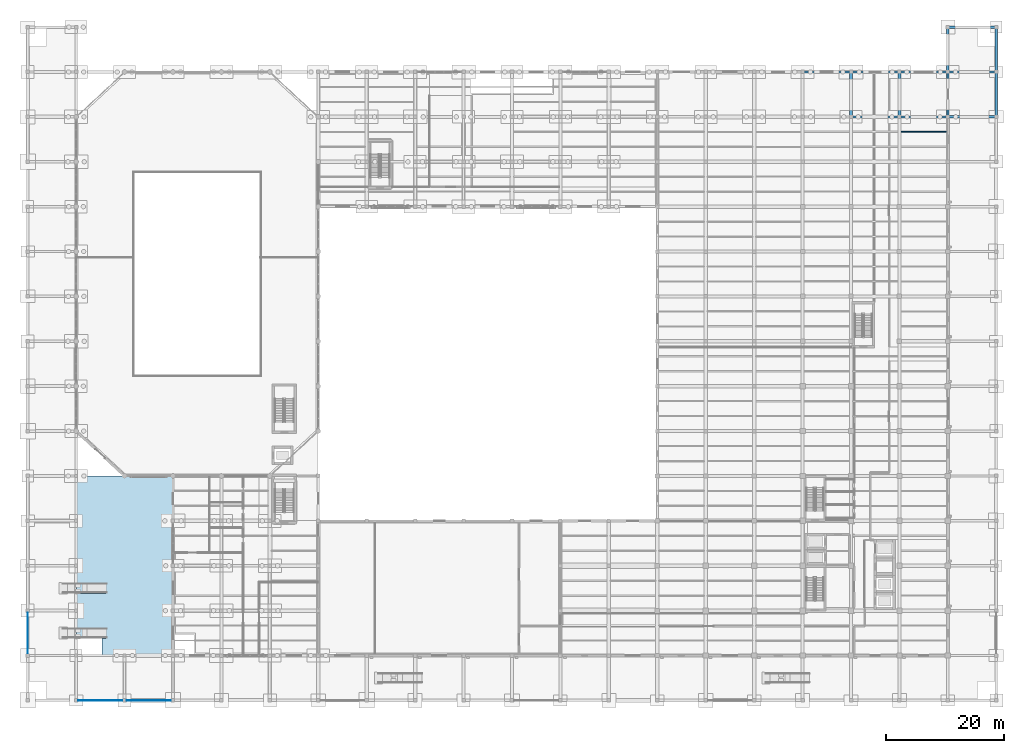
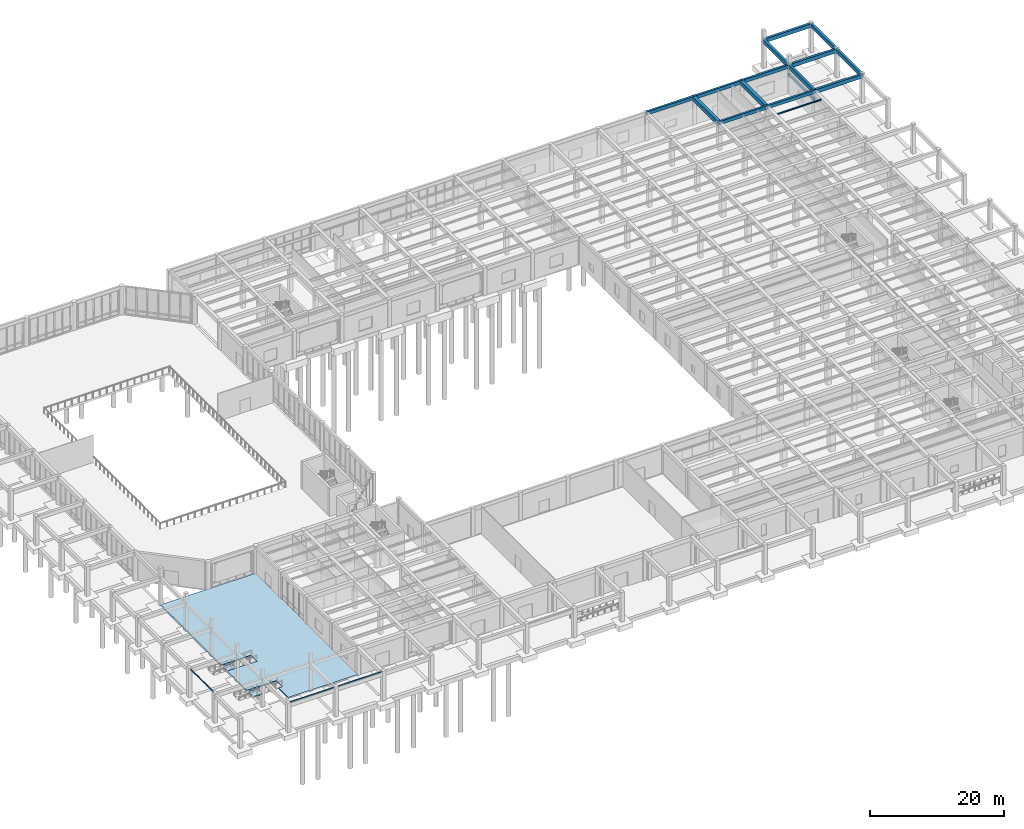
# One storey, part 33 of 64: 16 beams, 3 plates, 3 slabs, 2 elements without a shape of their own.
"""IFC4 building model written with IfcOpenShell, lengths in metres."""

import ifcopenshell
import ifcopenshell.guid

model = None  # the IFC model being written
_history = None  # IfcOwnerHistory: only IFC2X3 demands one
_inside = {}  # id of a spatial element -> (the spatial element, [elements in it])
_under = {}  # id of a project, library or spatial element -> (it, [spatial elements below it])
_declared = {}  # id of a project -> (the project, [libraries it declares])
_typed = {}  # id of a type object -> (the type object, [elements of that type])
_made_of = {}  # id of a material, layer set ... -> (it, [elements and type objects made of it])


def new_model(schema):
    """Start an empty IFC model of exactly this schema.

    Asked for "IFC4X3", IfcOpenShell would pick the latest addendum, in which some entities
    have other attributes; the version numbers below select the first issue.
    IFC2X3 requires an IfcOwnerHistory on every rooted entity: one is made here for all.
    """
    global model, _history
    if schema == "IFC4X3":
        model = ifcopenshell.file(schema_version=(4, 3, 0, 0))
    else:
        model = ifcopenshell.file(schema=schema)
    _inside.clear()
    _under.clear()
    _declared.clear()
    _typed.clear()
    _made_of.clear()
    _history = None
    if model.schema == "IFC2X3":
        org = make("IfcOrganization", Name="unknown")
        user = make(
            "IfcPersonAndOrganization",
            ThePerson=make("IfcPerson", FamilyName="unknown"),
            TheOrganization=org,
        )
        app = make(
            "IfcApplication",
            ApplicationDeveloper=org,
            Version="unknown",
            ApplicationFullName="unknown",
            ApplicationIdentifier="unknown",
        )
        _history = make(
            "IfcOwnerHistory",
            OwningUser=user,
            OwningApplication=app,
            ChangeAction="ADDED",
            CreationDate=0,
        )
    return model


def make(cls, **values):
    """One entity of the class cls with the attributes given. An attribute that is None is left unset."""
    return model.create_entity(
        cls, **{name: value for name, value in values.items() if value is not None}
    )


def rooted(cls, **values):
    """An entity with a GlobalId (a new one), such as an element, a storey or a relation."""
    return make(cls, GlobalId=ifcopenshell.guid.new(), OwnerHistory=_history, **values)


def si_unit(unit_type, name, prefix=None):
    """IfcSIUnit, for example si_unit("LENGTHUNIT", "METRE", prefix="MILLI")."""
    return make("IfcSIUnit", UnitType=unit_type, Prefix=prefix, Name=name)


def assignment(units):
    """IfcUnitAssignment: the units of a project."""
    return None if units is None else make("IfcUnitAssignment", Units=units)


def point(xyz):
    """IfcCartesianPoint."""
    return None if xyz is None else make("IfcCartesianPoint", Coordinates=xyz)


def direction(xyz):
    """IfcDirection."""
    return None if xyz is None else make("IfcDirection", DirectionRatios=xyz)


def frame(location, z_axis=None, x_axis=None):
    """IfcAxis2Placement3D, a coordinate frame: its origin and axes. An axis left out is left unset."""
    return make(
        "IfcAxis2Placement3D",
        Location=point(location),
        Axis=direction(z_axis),
        RefDirection=direction(x_axis),
    )


def frame_2d(location, x_axis=None):
    """IfcAxis2Placement2D, a coordinate frame in the plane: its origin and x axis."""
    return make(
        "IfcAxis2Placement2D", Location=point(location), RefDirection=direction(x_axis)
    )


def origin():
    """The frame at (0, 0, 0) with its axes left unset."""
    return frame((0.0, 0.0, 0.0))


def origin_2d():
    """The frame at (0, 0) in the plane with its x axis left unset."""
    return frame_2d((0.0, 0.0))


def place(relative_to, where):
    """IfcLocalPlacement: puts the frame where relative to a parent placement (None: the world)."""
    return make(
        "IfcLocalPlacement", PlacementRelTo=relative_to, RelativePlacement=where
    )


def context(
    kind, dimensions, precision=None, world=None, true_north=None, identifier=None
):
    """IfcGeometricRepresentationContext, for example the 3D "Model" context."""
    return make(
        "IfcGeometricRepresentationContext",
        ContextIdentifier=identifier,
        ContextType=kind,
        CoordinateSpaceDimension=dimensions,
        Precision=precision,
        WorldCoordinateSystem=world,
        TrueNorth=true_north,
    )


def subcontext(parent, identifier, kind, view, scale=None):
    """IfcGeometricRepresentationSubContext, for example "Body" below "Model"."""
    return make(
        "IfcGeometricRepresentationSubContext",
        ContextIdentifier=identifier,
        ContextType=kind,
        ParentContext=parent,
        TargetScale=scale,
        TargetView=view,
    )


def project(units=None, contexts=None):
    """IfcProject with its units and contexts."""
    return rooted(
        "IfcProject",
        Name="project",
        RepresentationContexts=contexts,
        UnitsInContext=assignment(units),
    )


def spatial(cls, under=None, at=None, **own):
    """A site, building, storey or space (cls), placed at a placement, below another one or the project."""
    s = rooted(cls, ObjectPlacement=at, **own)
    if under is not None:
        _under.setdefault(under.id(), (under, []))[1].append(s)
    return s


def polyline(points):
    """IfcPolyline through the points."""
    return make("IfcPolyline", Points=[point(p) for p in points])


def profile(cls, at=None, kind="AREA", **sizes):
    """A parametric profile (cls). Its sizes go by their IFC names, for example OverallWidth=200.0."""
    return make(cls, ProfileType=kind, Position=at, **sizes)


def rectangle(**sizes):
    """IfcRectangleProfileDef."""
    return profile("IfcRectangleProfileDef", **sizes)


def i_section(**sizes):
    """IfcIShapeProfileDef."""
    return profile("IfcIShapeProfileDef", **sizes)


def outline(outer, holes=None, kind="AREA"):
    """IfcArbitraryClosedProfileDef: a profile drawn as a closed curve; with holes, ...WithVoids."""
    if holes is None:
        return make("IfcArbitraryClosedProfileDef", ProfileType=kind, OuterCurve=outer)
    return make(
        "IfcArbitraryProfileDefWithVoids",
        ProfileType=kind,
        OuterCurve=outer,
        InnerCurves=holes,
    )


def extrude(swept, where, along, depth):
    """IfcExtrudedAreaSolid: the profile swept, set in the frame where, extruded along a direction by depth."""
    return make(
        "IfcExtrudedAreaSolid",
        SweptArea=swept,
        Position=where,
        ExtrudedDirection=direction(along),
        Depth=depth,
    )


def shape(context_of_items, identifier, shape_type, items):
    """IfcShapeRepresentation: the items that make up one representation, for example the "Body"."""
    return make(
        "IfcShapeRepresentation",
        ContextOfItems=context_of_items,
        RepresentationIdentifier=identifier,
        RepresentationType=shape_type,
        Items=items,
    )


def material(Name=None, Category=None):
    """IfcMaterial."""
    return make("IfcMaterial", Name=Name, Category=Category)


def layer(
    of_material, thickness, ventilated=None, Name=None, Category=None, Priority=None
):
    """IfcMaterialLayer: one layer of a wall or slab, of a material (None: an air gap)."""
    return make(
        "IfcMaterialLayer",
        Material=of_material,
        LayerThickness=thickness,
        IsVentilated=ventilated,
        Name=Name,
        Category=Category,
        Priority=Priority,
    )


def layer_set(layers, Name=None):
    """IfcMaterialLayerSet."""
    return make("IfcMaterialLayerSet", MaterialLayers=layers, LayerSetName=Name)


def material_profile(
    of_material, cross_section, Name=None, Category=None, Priority=None
):
    """IfcMaterialProfile: a cross section and its material."""
    return make(
        "IfcMaterialProfile",
        Name=Name,
        Material=of_material,
        Profile=cross_section,
        Priority=Priority,
        Category=Category,
    )


def profile_set(profiles, Name=None, composite=None):
    """IfcMaterialProfileSet."""
    return make(
        "IfcMaterialProfileSet",
        Name=Name,
        MaterialProfiles=profiles,
        CompositeProfile=composite,
    )


def made_of(thing, what):
    """Note that an element or type object is made of a material, layer set ...; save() writes the relation."""
    if what is not None:
        _made_of.setdefault(what.id(), (what, []))[1].append(thing)
    return thing


def type_object(cls, material=None, **own):
    """A type object (cls), such as IfcWallType, which elements share."""
    return made_of(rooted(cls, **own), material)


def element(
    cls,
    number,
    at=None,
    inside=None,
    cuts=None,
    type_object=None,
    material=None,
    context=None,
    identifier="Body",
    shape_type=None,
    held_by="IfcProductDefinitionShape",
    body=None,
    shapes=None,
    **own,
):
    """One element of the class cls, such as IfcWall. Its Tag is "e" and its number.

    at: its placement. inside: the storey or other place that contains it. cuts: it is an
    opening in that element (IfcRelVoidsElement). A single representation is given by context,
    identifier, shape_type and body (its items); several are given by shapes. held_by: the class
    of the entity that holds the representations. save() writes the other relations.
    """
    e = rooted(cls, Tag="e%d" % number, ObjectPlacement=at, **own)
    if body is not None:
        shapes = [shape(context, identifier, shape_type, body)]
    if shapes is not None:
        e.Representation = make(held_by, Representations=shapes)
    if inside is not None:
        _inside.setdefault(inside.id(), (inside, []))[1].append(e)
    if cuts is not None:
        rooted(
            "IfcRelVoidsElement", RelatingBuildingElement=cuts, RelatedOpeningElement=e
        )
    if type_object is not None:
        _typed.setdefault(type_object.id(), (type_object, []))[1].append(e)
    return made_of(e, material)


def aggregate(whole, parts):
    """IfcRelAggregates: a whole, such as a stair, and the parts it consists of."""
    return rooted("IfcRelAggregates", RelatingObject=whole, RelatedObjects=parts)


def save(model, path):
    """Write the relations noted so far, then the file.

    IfcRelAggregates (storeys below a building ...), IfcRelContainedInSpatialStructure (elements
    in a storey), IfcRelDefinesByType, IfcRelAssociatesMaterial and IfcRelDeclares: one each for
    every whole, place, type object, material and project.
    """
    for whole, parts in _under.values():
        aggregate(whole, parts)
    for where, things in _inside.values():
        rooted(
            "IfcRelContainedInSpatialStructure",
            RelatedElements=things,
            RelatingStructure=where,
        )
    for kind, things in _typed.values():
        rooted("IfcRelDefinesByType", RelatedObjects=things, RelatingType=kind)
    for what, things in _made_of.values():
        rooted("IfcRelAssociatesMaterial", RelatedObjects=things, RelatingMaterial=what)
    for by, libraries in _declared.values():
        rooted("IfcRelDeclares", RelatingContext=by, RelatedDefinitions=libraries)
    model.write(path)


model = new_model("IFC4")

# Units and contexts
model_context = context("Model", 3, precision=1e-05, world=origin(), true_north=direction((0.0, 1.0)))
body_context = subcontext(model_context, "Body", "Model", "MODEL_VIEW")
ifc_project = project(units=[si_unit("LENGTHUNIT", "METRE"), si_unit("AREAUNIT", "SQUARE_METRE"), si_unit("VOLUMEUNIT", "CUBIC_METRE"), si_unit("PLANEANGLEUNIT", "RADIAN"), si_unit("MASSUNIT", "GRAM", prefix="KILO")], contexts=[model_context])

# Site, building, storey
site_placement = place(None, origin())
site = spatial("IfcSite", under=ifc_project, at=site_placement, CompositionType="ELEMENT")
building_placement = place(site_placement, origin())
building = spatial("IfcBuilding", under=site, at=building_placement, Name="Qandaris Square Conservatory and Botanical Centre", CompositionType="ELEMENT")
storey_placement = place(building_placement, origin())
storey = spatial("IfcBuildingStorey", under=building, at=storey_placement, Name="L00", CompositionType="ELEMENT", Elevation=0.0)

# Beams
ifc_material_1 = material(Name="Precast concrete C40/50", Category="concrete")
ifc_material_profile_1 = material_profile(ifc_material_1, rectangle(XDim=0.35009765625, YDim=0.39990234375, at=origin_2d()), Name="RC-LN 350x400")
ifc_profile_set_1 = profile_set([ifc_material_profile_1], Name="Precast concrete C40/50")
beam_type_1 = type_object("IfcBeamType", Name="Precast Opening Lintel 350x400", PredefinedType="LINTEL", material=ifc_profile_set_1)
beam_1_placement = place(storey_placement, frame((163.800048828125, 107.800048828125, 3.320068359375), z_axis=(0.0, 1.0, 0.0), x_axis=(-1.0, 0.0, 0.0)))
element("IfcBeam", 1, at=beam_1_placement, inside=storey, type_object=beam_type_1, Name="Precast Lintel 013", PredefinedType="LINTEL", context=body_context, shape_type="SweptSolid", body=[
    extrude(rectangle(XDim=0.35009765625, YDim=0.39990234375, at=origin_2d()), origin(), (0.0, 0.0, 1.0), 7.599853515625),
])
ifc_material_2 = material(Name="Concrete C50/60", Category="concrete")
ifc_material_profile_2 = material_profile(ifc_material_2, rectangle(XDim=0.39990234375, YDim=0.699951171875, at=origin_2d()), Name="RC-SP 400x700")
ifc_profile_set_2 = profile_set([ifc_material_profile_2], Name="Concrete C50/60")
beam_type_2 = type_object("IfcBeamType", Name="RC Colonnade Spandrel Beam 400x700", PredefinedType="SPANDREL", material=ifc_profile_set_2)
for number, where, z_axis, x_axis, name in (
    (2, (163.800048828125, 107.800048828125, 4.824951171875), (1.0, 0.0, 0.0), (0.0, 1.0, 0.0), "L00 Frame Beam 0483"),
    (3, (163.800048828125, 115.39990234375, 4.824951171875), (1.0, 0.0, 0.0), (0.0, 1.0, 0.0), "L00 Frame Beam 0501"),
    (4, (163.800048828125, 123.0, 4.824951171875), (1.0, 0.0, 0.0), (0.0, 1.0, 0.0), "L00 Frame Beam 0503"),
):
    element("IfcBeam", number, at=place(storey_placement, frame(where, z_axis=z_axis, x_axis=x_axis)), inside=storey, type_object=beam_type_2, Name=name, PredefinedType="SPANDREL", context=body_context, shape_type="SweptSolid", body=[
        extrude(rectangle(XDim=0.39990234375, YDim=0.699951171875, at=origin_2d()), origin(), (0.0, 0.0, 1.0), 8.199951171875),
    ])
beam_2_placement = place(storey_placement, frame((163.800048828125, 107.800048828125, 4.824951171875), z_axis=(0.0, 1.0, 0.0), x_axis=(-1.0, 0.0, 0.0)))
element("IfcBeam", 5, at=beam_2_placement, inside=storey, type_object=beam_type_2, Name="L00 Frame Beam 0686", PredefinedType="SPANDREL", context=body_context, shape_type="SweptSolid", body=[
    extrude(rectangle(XDim=0.39990234375, YDim=0.699951171875, at=origin_2d()), origin(), (0.0, 0.0, 1.0), 7.599853515625),
])
beam_3_placement = place(storey_placement, frame((163.800048828125, 115.39990234375, 4.824951171875), z_axis=(0.0, 1.0, 0.0), x_axis=(-1.0, 0.0, 0.0)))
element("IfcBeam", 6, at=beam_3_placement, inside=storey, type_object=beam_type_2, Name="L00 Frame Beam 0687", PredefinedType="SPANDREL", context=body_context, shape_type="SweptSolid", body=[
    extrude(rectangle(XDim=0.39990234375, YDim=0.699951171875, at=origin_2d()), origin(), (0.0, 0.0, 1.0), 7.60009765625),
])
beam_4_placement = place(storey_placement, frame((172.0, 107.800048828125, 4.824951171875), z_axis=(0.0, 1.0, 0.0), x_axis=(-1.0, 0.0, 0.0)))
element("IfcBeam", 7, at=beam_4_placement, inside=storey, type_object=beam_type_2, Name="L00 Frame Beam 0697", PredefinedType="SPANDREL", context=body_context, shape_type="SweptSolid", body=[
    extrude(rectangle(XDim=0.39990234375, YDim=0.699951171875, at=origin_2d()), origin(), (0.0, 0.0, 1.0), 7.599853515625),
])
beam_5_placement = place(storey_placement, frame((172.0, 115.39990234375, 4.824951171875), z_axis=(0.0, 1.0, 0.0), x_axis=(-1.0, 0.0, 0.0)))
element("IfcBeam", 8, at=beam_5_placement, inside=storey, type_object=beam_type_2, Name="L00 Frame Beam 0698", PredefinedType="SPANDREL", context=body_context, shape_type="SweptSolid", body=[
    extrude(rectangle(XDim=0.39990234375, YDim=0.699951171875, at=origin_2d()), origin(), (0.0, 0.0, 1.0), 7.60009765625),
])
ifc_material_profile_3 = material_profile(ifc_material_2, rectangle(XDim=0.35009765625, YDim=0.60009765625, at=origin_2d()), Name="RC-SP 350x600")
ifc_profile_set_3 = profile_set([ifc_material_profile_3], Name="Concrete C50/60")
beam_type_3 = type_object("IfcBeamType", Name="RC Edge Spandrel Beam 350x600", PredefinedType="SPANDREL", material=ifc_profile_set_3)
beam_6_placement = place(storey_placement, frame((147.39990234375, 107.800048828125, 4.844970703125), z_axis=(1.0, 0.0, 0.0), x_axis=(0.0, 1.0, 0.0)))
element("IfcBeam", 9, at=beam_6_placement, inside=storey, type_object=beam_type_3, Name="L00 Frame Beam 0481", PredefinedType="SPANDREL", context=body_context, shape_type="SweptSolid", body=[
    extrude(rectangle(XDim=0.35009765625, YDim=0.60009765625, at=origin_2d()), origin(), (0.0, 0.0, 1.0), 8.2001953125),
])
for number, where, z_axis, x_axis, name in (
    (10, (155.60009765625, 107.800048828125, 4.844970703125), (1.0, 0.0, 0.0), (0.0, 1.0, 0.0), "L00 Frame Beam 0482"),
    (11, (139.199951171875, 115.39990234375, 4.844970703125), (1.0, 0.0, 0.0), (0.0, 1.0, 0.0), "L00 Frame Beam 0498"),
):
    element("IfcBeam", number, at=place(storey_placement, frame(where, z_axis=z_axis, x_axis=x_axis)), inside=storey, type_object=beam_type_3, Name=name, PredefinedType="SPANDREL", context=body_context, shape_type="SweptSolid", body=[
        extrude(rectangle(XDim=0.35009765625, YDim=0.60009765625, at=origin_2d()), origin(), (0.0, 0.0, 1.0), 8.199951171875),
    ])
beam_7_placement = place(storey_placement, frame((147.39990234375, 115.39990234375, 4.844970703125), z_axis=(1.0, 0.0, 0.0), x_axis=(0.0, 1.0, 0.0)))
element("IfcBeam", 12, at=beam_7_placement, inside=storey, type_object=beam_type_3, Name="L00 Frame Beam 0499", PredefinedType="SPANDREL", context=body_context, shape_type="SweptSolid", body=[
    extrude(rectangle(XDim=0.35009765625, YDim=0.60009765625, at=origin_2d()), origin(), (0.0, 0.0, 1.0), 8.2001953125),
])
beam_8_placement = place(storey_placement, frame((155.60009765625, 115.39990234375, 4.844970703125), z_axis=(1.0, 0.0, 0.0), x_axis=(0.0, 1.0, 0.0)))
element("IfcBeam", 13, at=beam_8_placement, inside=storey, type_object=beam_type_3, Name="L00 Frame Beam 0500", PredefinedType="SPANDREL", context=body_context, shape_type="SweptSolid", body=[
    extrude(rectangle(XDim=0.35009765625, YDim=0.60009765625, at=origin_2d()), origin(), (0.0, 0.0, 1.0), 8.199951171875),
])
ifc_material_profile_4 = material_profile(ifc_material_2, rectangle(XDim=0.550048828125, YDim=0.75, at=origin_2d()), Name="RC-BM 550x750")
ifc_profile_set_4 = profile_set([ifc_material_profile_4], Name="Concrete C50/60")
beam_type_4 = type_object("IfcBeamType", Name="RC Plinth Girder 550x750", PredefinedType="BEAM", material=ifc_profile_set_4)
for number, where, z_axis, x_axis, name in (
    (14, (147.39990234375, 107.800048828125, 4.77001953125), (0.0, 1.0, 0.0), (-1.0, 0.0, 0.0), "L00 Frame Beam 0658"),
    (15, (155.60009765625, 107.800048828125, 4.77001953125), (0.0, 1.0, 0.0), (-1.0, 0.0, 0.0), "L00 Frame Beam 0672"),
):
    element("IfcBeam", number, at=place(storey_placement, frame(where, z_axis=z_axis, x_axis=x_axis)), inside=storey, type_object=beam_type_4, Name=name, PredefinedType="BEAM", context=body_context, shape_type="SweptSolid", body=[
        extrude(rectangle(XDim=0.550048828125, YDim=0.75, at=origin_2d()), origin(), (0.0, 0.0, 1.0), 7.599853515625),
    ])
ifc_material_3 = material(Name="Steel S355", Category="steel")
ifc_material_profile_5 = material_profile(ifc_material_3, i_section(OverallWidth=0.135009765625, OverallDepth=0.27001953125, WebThickness=0.006591796875, FlangeThickness=0.01025390625, FilletRadius=0.014892578125, at=origin_2d()), Name="IPE 270")
ifc_profile_set_5 = profile_set([ifc_material_profile_5], Name="Steel S355")
beam_type_5 = type_object("IfcBeamType", Name="Steel Floor Joist IPE 270", PredefinedType="JOIST", material=ifc_profile_set_5)
beam_9_placement = place(storey_placement, frame((155.875, 105.2666015625, 4.955078125), z_axis=(1.0, 0.0, 0.0), x_axis=(0.0, 1.0, 0.0)))
element("IfcBeam", 16, at=beam_9_placement, inside=storey, type_object=beam_type_5, Name="L00 Composite Joist 0898", PredefinedType="JOIST", context=body_context, shape_type="SweptSolid", body=[
    extrude(i_section(OverallWidth=0.135009765625, OverallDepth=0.27001953125, WebThickness=0.006591796875, FlangeThickness=0.01025390625, FilletRadius=0.014892578125, at=origin_2d()), origin(), (0.0, 0.0, 1.0), 7.64990234375),
])

# Ramp, slab
ifc_material_4 = material(Name="Concrete C40/50", Category="concrete")
ramp_type = type_object("IfcRampType", Name="Accessible Forecourt Stone Ramp", PredefinedType="TWO_STRAIGHT_RUN_RAMP", material=ifc_material_4)
ramp_1_placement = place(storey_placement, origin())
ramp_1 = element("IfcRamp", 17, at=ramp_1_placement, inside=storey, type_object=ramp_type, Name="Accessible Entrance Ramp RMP-01", PredefinedType="TWO_STRAIGHT_RUN_RAMP")
ifc_layer_1 = layer(ifc_material_4, 0.219970703125)
ifc_layer_set_1 = layer_set([ifc_layer_1], Name="Concrete C40/50")
slab_type_1 = type_object("IfcSlabType", Name="Accessible Ramp Landing Slab 220mm", PredefinedType="LANDING", material=ifc_layer_set_1)
slab_1_placement = place(storey_placement, frame((0.0, 0.0, -0.409912109375)))
slab_1 = element("IfcSlab", 18, at=slab_1_placement, type_object=slab_type_1, Name="RMP-01 Mid Landing", PredefinedType="LANDING", context=body_context, shape_type="SweptSolid", body=[
    extrude(outline(polyline([(16.300048828125, 19.64990234375), (17.89990234375, 19.64990234375), (17.89990234375, 21.14990234375), (16.300048828125, 21.14990234375), (16.300048828125, 19.64990234375)])), origin(), (0.0, 0.0, 1.0), 0.219970703125),
])
aggregate(ramp_1, [slab_1])

ramp_2_placement = place(storey_placement, origin())
ramp_2 = element("IfcRamp", 19, at=ramp_2_placement, inside=storey, type_object=ramp_type, Name="Accessible Entrance Ramp RMP-02", PredefinedType="TWO_STRAIGHT_RUN_RAMP")
slab_2_placement = place(storey_placement, frame((0.0, 0.0, -0.409912109375)))
slab_2 = element("IfcSlab", 20, at=slab_2_placement, type_object=slab_type_1, Name="RMP-02 Mid Landing", PredefinedType="LANDING", context=body_context, shape_type="SweptSolid", body=[
    extrude(outline(polyline([(16.300048828125, 27.25), (17.89990234375, 27.25), (17.89990234375, 28.75), (16.300048828125, 28.75), (16.300048828125, 27.25)])), origin(), (0.0, 0.0, 1.0), 0.219970703125),
])
aggregate(ramp_2, [slab_2])

# Plates
ifc_material_5 = material(Name="Anodised Aluminium", Category="aluminium")
ifc_layer_2 = layer(ifc_material_5, 0.030029296875)
ifc_layer_set_2 = layer_set([ifc_layer_2], Name="Anodised Aluminium")
plate_type = type_object("IfcPlateType", Name="Prairie Entrance Canopy Soffit Fascia Plate", PredefinedType="SHEET", material=ifc_layer_set_2)
for number, where, z_axis, x_axis, name in (
    (21, (20.300048828125, 9.0, 5.0498046875), (0.0, 0.0, 1.0), (1.0, 0.0, 0.0), "Canopy Fascia CNP-S1"),
    (22, (28.5, 9.0, 5.0498046875), (0.0, 0.0, 1.0), (1.0, 0.0, 0.0), "Canopy Fascia CNP-S2"),
):
    element("IfcPlate", number, at=place(storey_placement, frame(where, z_axis=z_axis, x_axis=x_axis)), inside=storey, type_object=plate_type, Name=name, PredefinedType="SHEET", context=body_context, shape_type="SweptSolid", body=[
        extrude(rectangle(XDim=7.39990234375, YDim=0.030029296875, at=origin_2d()), origin(), (0.0, 0.0, 1.0), 0.239990234375),
    ])
plate_placement = place(storey_placement, frame((8.0, 20.39990234375, 5.0498046875), z_axis=(0.0, 0.0, 1.0), x_axis=(0.0, 1.0, 0.0)))
element("IfcPlate", 23, at=plate_placement, inside=storey, type_object=plate_type, Name="Canopy Fascia CNP-W1", PredefinedType="SHEET", context=body_context, shape_type="SweptSolid", body=[
    extrude(rectangle(XDim=6.800048828125, YDim=0.030029296875, at=origin_2d()), origin(), (0.0, 0.0, 1.0), 0.239990234375),
])

# Slab
ifc_layer_3 = layer(ifc_material_4, 0.235107421875)
ifc_layer_set_3 = layer_set([ifc_layer_3], Name="Concrete C40/50")
slab_type_2 = type_object("IfcSlabType", Name="RC Exterior Terrace Slab 235mm", PredefinedType="FLOOR", material=ifc_layer_set_3)
slab_3_placement = place(storey_placement, frame((0.0, 0.0, -0.235107421875)))
element("IfcSlab", 24, at=slab_3_placement, inside=storey, type_object=slab_type_2, Name="Colonnade Plaza Deck FORE-SW", PredefinedType="FLOOR", context=body_context, shape_type="SweptSolid", body=[
    extrude(outline(polyline([(32.60009765625, 47.0), (32.60009765625, 16.60009765625), (20.60009765625, 16.60009765625), (20.60009765625, 19.5), (21.300048828125, 19.5), (21.300048828125, 21.300048828125), (16.199951171875, 21.300048828125), (16.199951171875, 27.10009765625), (21.300048828125, 27.10009765625), (21.300048828125, 28.89990234375), (16.199951171875, 28.89990234375), (16.199951171875, 47.0), (32.60009765625, 47.0)])), origin(), (0.0, 0.0, 1.0), 0.235107421875),
])

save(model, "model.ifc")
